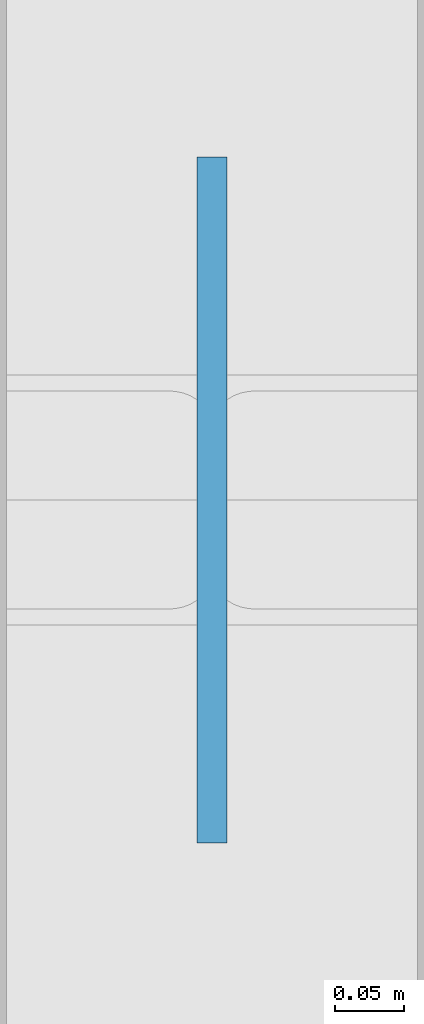
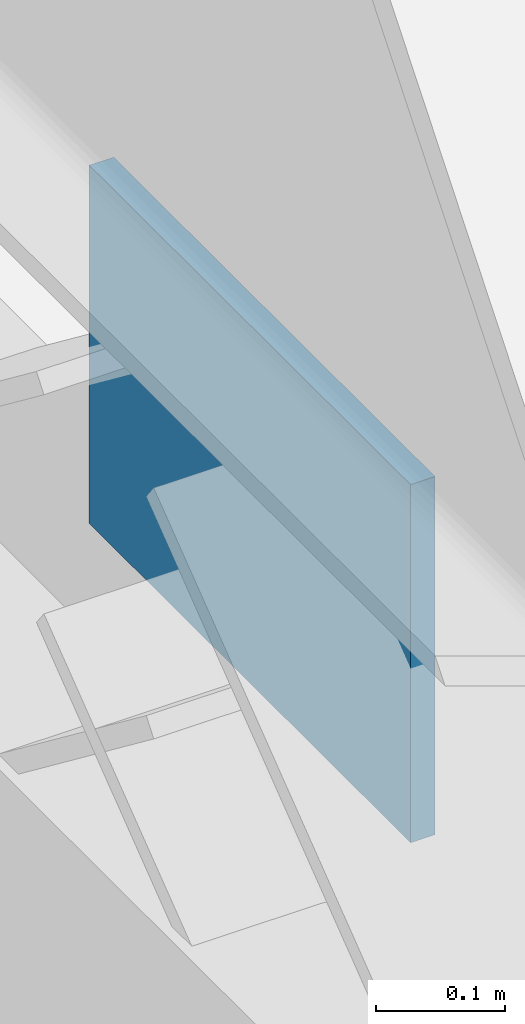
# One storey, part 59 of 82: 1 plate.
"""IFC4 building model written with IfcOpenShell, lengths in metres."""

from ifc_helpers import new_model, si_unit, direction, frame, origin, origin_2d, place, context, subcontext, project, spatial, rectangle, extrude, material, layer, layer_set, type_object, element, save


model = new_model("IFC4")

# Units and contexts
model_context = context("Model", 3, precision=1e-05, world=origin(), true_north=direction((0.0, 1.0)))
body_context = subcontext(model_context, "Body", "Model", "MODEL_VIEW")
ifc_project = project(units=[si_unit("LENGTHUNIT", "METRE"), si_unit("AREAUNIT", "SQUARE_METRE"), si_unit("VOLUMEUNIT", "CUBIC_METRE"), si_unit("PLANEANGLEUNIT", "RADIAN"), si_unit("MASSUNIT", "GRAM", prefix="KILO")], contexts=[model_context])

# Site, building, storey
site_placement = place(None, origin())
site = spatial("IfcSite", under=ifc_project, at=site_placement, CompositionType="ELEMENT")
building_placement = place(site_placement, origin())
building = spatial("IfcBuilding", under=site, at=building_placement, Name="Qasida Concert Hall", CompositionType="ELEMENT")
storey_placement = place(building_placement, frame((0.0, 0.0, 17.10009765625)))
storey = spatial("IfcBuildingStorey", under=building, at=storey_placement, Name="L04", CompositionType="ELEMENT", Elevation=17.10009765625)

# Plate
ifc_material = material(Name="Steel S355J2", Category="steel")
ifc_layer = layer(ifc_material, 0.02197265625, Name="Steel S355J2")
ifc_layer_set = layer_set([ifc_layer], Name="Steel S355J2")
plate_type = type_object("IfcPlateType", Name="PLT-PL-EC5", PredefinedType="SHEET", material=ifc_layer_set)
plate_placement = place(storey_placement, frame((0.0, 101.25, 2.69970703125), z_axis=(0.0, 0.0, 1.0), x_axis=(0.0, 1.0, 0.0)))
element("IfcPlate", 1, at=plate_placement, inside=storey, type_object=plate_type, Name="Chevron apex plate CBF-0103", PredefinedType="SHEET", context=body_context, shape_type="SweptSolid", body=[
    extrude(rectangle(XDim=0.5, YDim=0.02197265625, at=origin_2d()), origin(), (0.0, 0.0, 1.0), 0.340087890625),
])

save(model, "model.ifc")
